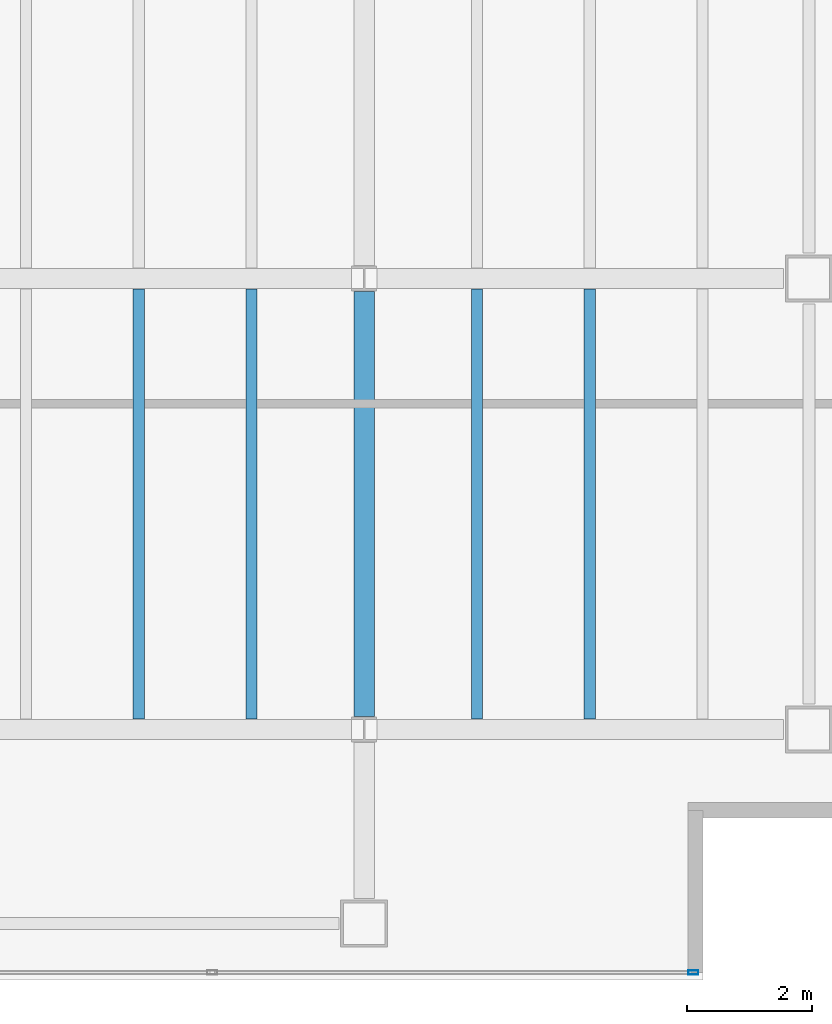
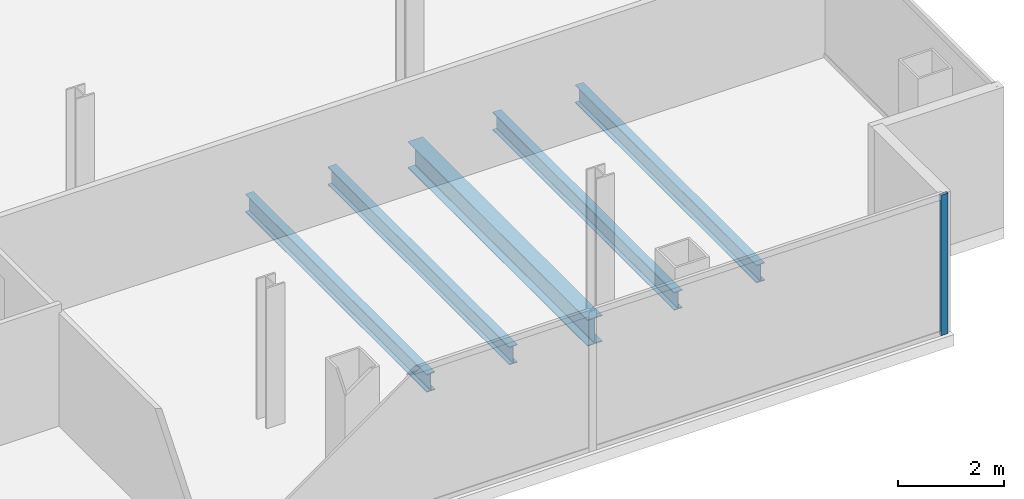
# One storey, part 11 of 23: 5 beams, 1 member, 1 element without a shape of its own.
"""IFC4 building model written with IfcOpenShell, lengths in metres."""

from ifc_helpers import new_model, si_unit, direction, frame, origin, origin_2d, place, context, subcontext, project, spatial, hollow_rectangle, i_section, extrude, material, material_profile, profile_set, type_object, element, aggregate, save


model = new_model("IFC4")

# Units and contexts
model_context = context("Model", 3, precision=1e-05, world=origin(), true_north=direction((0.0, 1.0)))
body_context = subcontext(model_context, "Body", "Model", "MODEL_VIEW")
ifc_project = project(units=[si_unit("LENGTHUNIT", "METRE"), si_unit("AREAUNIT", "SQUARE_METRE"), si_unit("VOLUMEUNIT", "CUBIC_METRE"), si_unit("PLANEANGLEUNIT", "RADIAN"), si_unit("MASSUNIT", "GRAM", prefix="KILO")], contexts=[model_context])

# Site, building, storey
site_placement = place(None, origin())
site = spatial("IfcSite", under=ifc_project, at=site_placement, CompositionType="ELEMENT")
building_placement = place(site_placement, origin())
building = spatial("IfcBuilding", under=site, at=building_placement, Name="Cobrela Telecom Tower", CompositionType="ELEMENT")
storey_placement = place(building_placement, frame((0.0, 0.0, 201.25)))
storey = spatial("IfcBuildingStorey", under=building, at=storey_placement, Name="L51", CompositionType="ELEMENT", Elevation=201.25)

# Beams
ifc_material_1 = material(Name="Steel ASTM A992 Grade 50", Category="steel")
ifc_material_profile_1 = material_profile(ifc_material_1, i_section(OverallWidth=0.324951171875, OverallDepth=0.612060546875, WebThickness=0.0126953125, FlangeThickness=0.01904296875, FilletRadius=0.014892578125, at=origin_2d()), Name="W24X104")
ifc_profile_set_1 = profile_set([ifc_material_profile_1], Name="Steel ASTM A992 Grade 50")
beam_type_1 = type_object("IfcBeamType", Name="BM-GIRD-07", PredefinedType="USERDEFINED", material=ifc_profile_set_1)
beam_placement = place(storey_placement, frame((36.0, 7.404541015625, -0.56591796875), z_axis=(0.0, 1.0, 0.0), x_axis=(-1.0, 0.0, 0.0)))
element("IfcBeam", 1, at=beam_placement, inside=storey, type_object=beam_type_1, Name="L51 Primary Girder Y40", ObjectType="GIRDER", PredefinedType="USERDEFINED", context=body_context, shape_type="SweptSolid", body=[
    extrude(i_section(OverallWidth=0.324951171875, OverallDepth=0.612060546875, WebThickness=0.0126953125, FlangeThickness=0.01904296875, FilletRadius=0.014892578125, at=origin_2d()), origin(), (0.0, 0.0, 1.0), 6.791015625),
])
ifc_material_profile_2 = material_profile(ifc_material_1, i_section(OverallWidth=0.179931640625, OverallDepth=0.4169921875, WebThickness=0.010986328125, FlangeThickness=0.01806640625, FilletRadius=0.011962890625, at=origin_2d()), Name="W16X57")
ifc_profile_set_2 = profile_set([ifc_material_profile_2], Name="Steel ASTM A992 Grade 50")
beam_type_2 = type_object("IfcBeamType", Name="BM-JOIST-04", PredefinedType="JOIST", material=ifc_profile_set_2)
for number, where, z_axis, x_axis, name in (
    (2, (32.39990234375, 7.367431640625, -0.468505859375), (0.0, 1.0, 0.0), (-1.0, 0.0, 0.0), "L51 Secondary Composite Floor Beam J21"),
    (3, (34.199951171875, 7.367431640625, -0.468505859375), (0.0, 1.0, 0.0), (-1.0, 0.0, 0.0), "L51 Secondary Composite Floor Beam J23"),
    (4, (37.800048828125, 7.367431640625, -0.468505859375), (0.0, 1.0, 0.0), (-1.0, 0.0, 0.0), "L51 Secondary Composite Floor Beam J25"),
    (5, (39.60009765625, 7.367431640625, -0.468505859375), (0.0, 1.0, 0.0), (-1.0, 0.0, 0.0), "L51 Secondary Composite Floor Beam J27"),
):
    element("IfcBeam", number, at=place(storey_placement, frame(where, z_axis=z_axis, x_axis=x_axis)), inside=storey, type_object=beam_type_2, Name=name, PredefinedType="JOIST", context=body_context, shape_type="SweptSolid", body=[
        extrude(i_section(OverallWidth=0.179931640625, OverallDepth=0.4169921875, WebThickness=0.010986328125, FlangeThickness=0.01806640625, FilletRadius=0.011962890625, at=origin_2d()), origin(), (0.0, 0.0, 1.0), 6.864990234375),
    ])

# Curtain wall, member
ifc_material_2 = material(Name="Anodized Bronze Aluminium 6063-T6", Category="aluminium")
curtain_wall_type = type_object("IfcCurtainWallType", Name="CW-SYS-OFF-LO", PredefinedType="USERDEFINED", material=ifc_material_2)
curtain_wall_placement = place(storey_placement, origin())
curtain_wall = element("IfcCurtainWall", 6, at=curtain_wall_placement, inside=storey, type_object=curtain_wall_type, Name="L51 Unitised Bronze Curtain Wall 17", ObjectType="UNITISED CURTAIN WALL", PredefinedType="USERDEFINED")
ifc_material_profile_3 = material_profile(ifc_material_2, hollow_rectangle(XDim=0.070068359375, YDim=0.159912109375, WallThickness=0.00390625, at=origin_2d()), Name="ALU 70x160x4")
ifc_profile_set_3 = profile_set([ifc_material_profile_3], Name="Anodized Bronze Aluminium 6063-T6")
member_type = type_object("IfcMemberType", Name="CW-SYS-OFF-LO-MUL", PredefinedType="MULLION", material=ifc_profile_set_3)
member_placement = place(storey_placement, frame((41.2548828125, 3.320068359375, 0.0), z_axis=(0.0, 0.0, 1.0), x_axis=(0.0, -1.0, 0.0)))
member = element("IfcMember", 7, at=member_placement, type_object=member_type, Name="CW-OFF-LO mullion 1", PredefinedType="MULLION", context=body_context, shape_type="SweptSolid", body=[
    extrude(hollow_rectangle(XDim=0.070068359375, YDim=0.159912109375, WallThickness=0.00390625, at=origin_2d()), origin(), (0.0, 0.0, 1.0), 3.239990234375),
])
aggregate(curtain_wall, [member])

save(model, "model.ifc")
